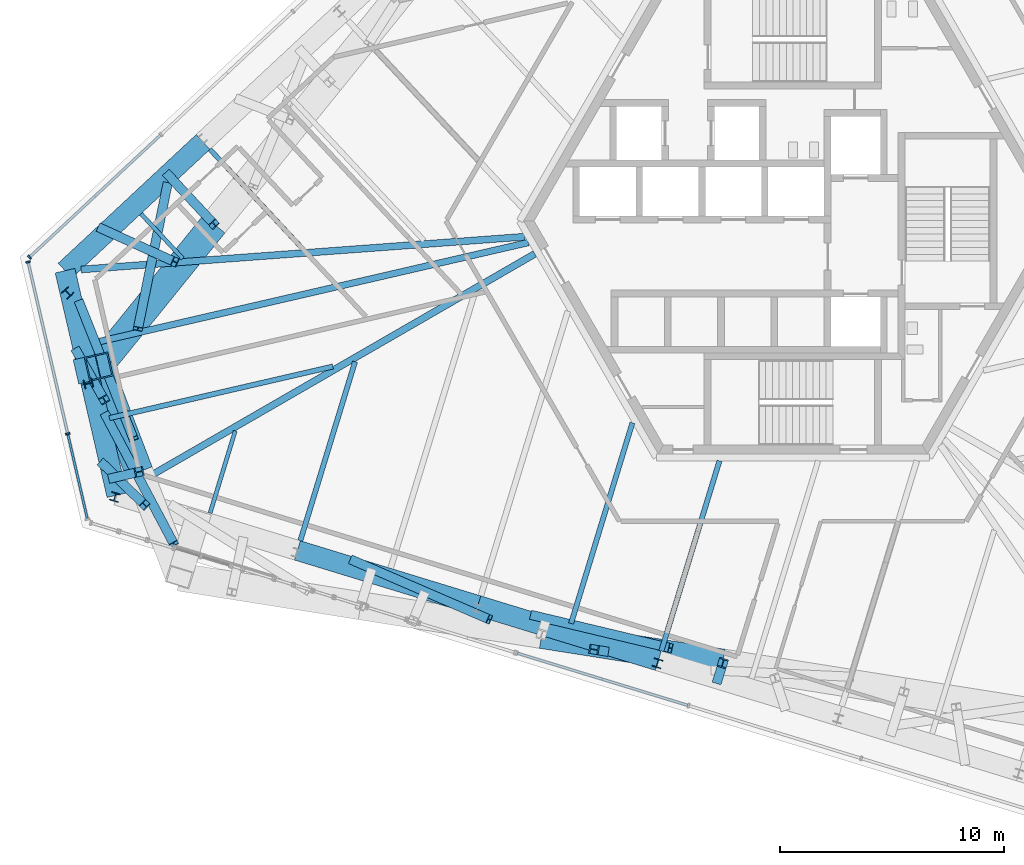
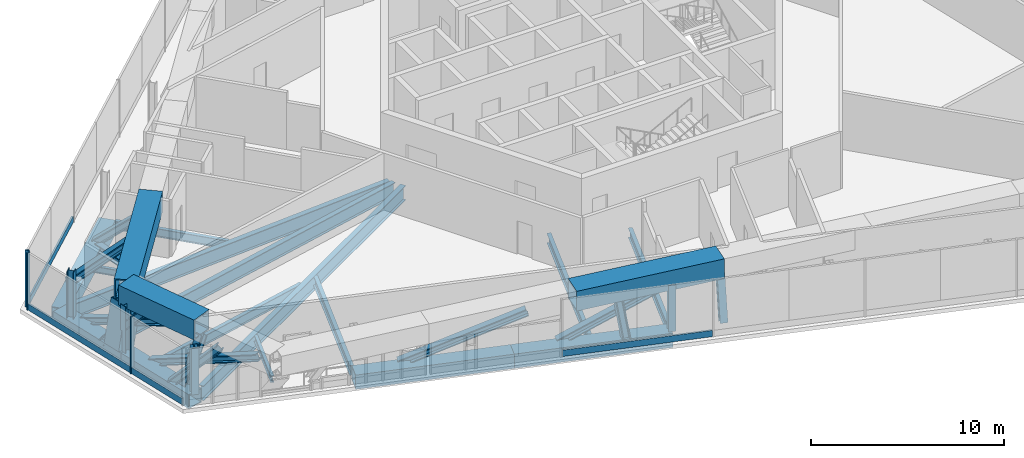
# One storey, part 2 of 31: 32 members, 10 beams, 3 elements without a shape of their own.
"""IFC4 building model written with IfcOpenShell, lengths in metres."""

from ifc_helpers import new_model, si_unit, direction, frame, origin, origin_2d, place, context, subcontext, project, spatial, rectangle, hollow_rectangle, i_section, extrude, source, transform, mapped, material, material_profile, profile_set, type_object, element, aggregate, save


model = new_model("IFC4")

# Units and contexts
model_context = context("Model", 3, precision=1e-05, world=origin(), true_north=direction((0.0, 1.0)))
body_context = subcontext(model_context, "Body", "Model", "MODEL_VIEW")
ifc_project = project(units=[si_unit("LENGTHUNIT", "METRE"), si_unit("AREAUNIT", "SQUARE_METRE"), si_unit("VOLUMEUNIT", "CUBIC_METRE"), si_unit("PLANEANGLEUNIT", "RADIAN"), si_unit("MASSUNIT", "GRAM", prefix="KILO")], contexts=[model_context])

# Site, building, storey
site_placement = place(None, origin())
site = spatial("IfcSite", under=ifc_project, at=site_placement, CompositionType="ELEMENT")
building_placement = place(site_placement, origin())
building = spatial("IfcBuilding", under=site, at=building_placement, Name="Triune Harvest Tower", CompositionType="ELEMENT")
storey_placement = place(building_placement, frame((0.0, 0.0, 134.300048828125)))
storey = spatial("IfcBuildingStorey", under=building, at=storey_placement, Name="L34", CompositionType="ELEMENT", Elevation=134.300048828125)

# Beams
ifc_material_1 = material(Name="Steel ASTM A992 Gr 50", Category="steel")
ifc_material_profile_1 = material_profile(ifc_material_1, i_section(OverallWidth=0.2099609375, OverallDepth=0.535888671875, WebThickness=0.010986328125, FlangeThickness=0.017333984375, at=origin_2d()), Name="W21x68")
ifc_profile_set_1 = profile_set([ifc_material_profile_1], Name="Steel ASTM A992 Gr 50")
beam_type_1 = type_object("IfcBeamType", Name="JT-2 Floor joist W21x68", PredefinedType="JOIST", material=ifc_profile_set_1)
beam_1_placement = place(storey_placement, frame((-25.985595703125, 3.1904296875, -0.51806640625), z_axis=(0.681992298293, -0.731359354263, 0.0), x_axis=(0.731359354263, 0.681992298293, 0.0)))
element("IfcBeam", 1, at=beam_1_placement, inside=storey, type_object=beam_type_1, Name="beam/L34/JT23", PredefinedType="JOIST", context=body_context, shape_type="SweptSolid", body=[
    extrude(i_section(OverallWidth=0.2099609375, OverallDepth=0.535888671875, WebThickness=0.010986328125, FlangeThickness=0.017333984375, at=origin_2d()), origin(), (0.0, 0.0, 1.0), 6.112548828125),
])
ifc_material_2 = material(Name="Steel ASTM A992 Gr 50", Category="steel")
ifc_material_profile_2 = material_profile(ifc_material_2, i_section(OverallWidth=0.22900390625, OverallDepth=0.612060546875, WebThickness=0.011962890625, FlangeThickness=0.01953125, at=origin_2d()), Name="W24x84")
ifc_profile_set_2 = profile_set([ifc_material_profile_2], Name="Steel ASTM A992 Gr 50")
beam_type_2 = type_object("IfcBeamType", Name="JT-3 Floor joist W24x84", PredefinedType="JOIST", material=ifc_profile_set_2)
beam_2_placement = place(storey_placement, frame((-30.467529296875, -8.791259765625, -0.55615234375), z_axis=(0.974368656402, 0.224957154634, 0.0), x_axis=(-0.224957154634, 0.974368656402, 0.0)))
element("IfcBeam", 2, at=beam_2_placement, inside=storey, type_object=beam_type_2, Name="beam/L34/JT26", PredefinedType="JOIST", context=body_context, shape_type="SweptSolid", body=[
    extrude(i_section(OverallWidth=0.22900390625, OverallDepth=0.612060546875, WebThickness=0.011962890625, FlangeThickness=0.01953125, at=origin_2d()), origin(), (0.0, 0.0, 1.0), 10.2255859375),
])

# Members
ifc_material_3 = material(Name="Steel ASTM A572 Gr 50", Category="steel")
ifc_material_profile_3 = material_profile(ifc_material_3, hollow_rectangle(XDim=0.89990234375, YDim=0.89990234375, WallThickness=0.050048828125, at=origin_2d()), Name="Box 900x900x50")
ifc_profile_set_3 = profile_set([ifc_material_profile_3], Name="Steel ASTM A572 Gr 50")
member_type_1 = type_object("IfcMemberType", Name="TC-2 Belt truss chord Box 900x900x50", PredefinedType="CHORD", material=ifc_profile_set_3)
member_1_placement = place(storey_placement, frame((-31.291015625, -7.22412109375, -0.699951171875), z_axis=(0.224960173276, -0.974367959469, 0.0), x_axis=(0.974367959469, 0.224960173276, 0.0)))
element("IfcMember", 3, at=member_1_placement, inside=storey, type_object=member_type_1, Name="truss/L34/TCB16", PredefinedType="CHORD", context=body_context, shape_type="SweptSolid", body=[
    extrude(hollow_rectangle(XDim=0.89990234375, YDim=0.89990234375, WallThickness=0.050048828125, at=origin_2d()), origin(), (0.0, 0.0, 1.0), 5.136474609375),
])
ifc_material_4 = material(Name="Steel ASTM A992 Gr 50", Category="steel")
ifc_material_profile_4 = material_profile(ifc_material_4, i_section(OverallWidth=0.411376953125, OverallDepth=0.434326171875, WebThickness=0.035888671875, FlangeThickness=0.057373046875, at=origin_2d()), Name="W14x311")
ifc_profile_set_4 = profile_set([ifc_material_profile_4], Name="Steel ASTM A992 Gr 50")
member_type_2 = type_object("IfcMemberType", Name="TD-2 Belt truss diagonal W14x311", PredefinedType="BRACE", material=ifc_profile_set_4)
member_2_placement = place(storey_placement, frame((-31.815185546875, -3.62060546875, -0.324951171875), z_axis=(0.341223863461, -0.858858571511, 0.382005535493), x_axis=(0.929339658394, 0.369225946184, 0.0)))
element("IfcMember", 4, at=member_2_placement, inside=storey, type_object=member_type_2, Name="truss/L34/TD29", PredefinedType="BRACE", context=body_context, shape_type="SweptSolid", body=[
    extrude(i_section(OverallWidth=0.411376953125, OverallDepth=0.434326171875, WebThickness=0.035888671875, FlangeThickness=0.057373046875, at=origin_2d()), origin(), (0.0, 0.0, 1.0), 7.093994140625),
])
ifc_material_5 = material(Name="Steel ASTM A992 Gr 50", Category="steel")
ifc_material_profile_5 = material_profile(ifc_material_5, i_section(OverallWidth=0.411376953125, OverallDepth=0.434326171875, WebThickness=0.035888671875, FlangeThickness=0.057373046875, at=origin_2d()), Name="W14x311")
ifc_profile_set_5 = profile_set([ifc_material_profile_5], Name="Steel ASTM A992 Gr 50")
member_type_3 = type_object("IfcMemberType", Name="TV-1 Belt truss strut W14x311", PredefinedType="STRUT", material=ifc_profile_set_5)
member_3_placement = place(storey_placement, frame((-3.33837890625, -20.421875, -0.275146484375), z_axis=(0.078089510049, 0.255670185223, 0.963605097957), x_axis=(-0.956384949768, 0.292109273831, 0.0)))
element("IfcMember", 5, at=member_3_placement, inside=storey, type_object=member_type_3, Name="truss/L34/TS20", PredefinedType="STRUT", context=body_context, shape_type="SweptSolid", body=[
    extrude(i_section(OverallWidth=0.411376953125, OverallDepth=0.434326171875, WebThickness=0.035888671875, FlangeThickness=0.057373046875, at=origin_2d()), origin(), (0.0, 0.0, 1.0), 2.7607421875),
])

# Beams
ifc_material_6 = material(Name="Steel ASTM A992 Gr 50", Category="steel")
ifc_material_profile_6 = material_profile(ifc_material_6, i_section(OverallWidth=0.307373046875, OverallDepth=0.922119140625, WebThickness=0.018310546875, FlangeThickness=0.030029296875, at=origin_2d()), Name="W36x182")
ifc_profile_set_6 = profile_set([ifc_material_profile_6], Name="Steel ASTM A992 Gr 50")
beam_type_3 = type_object("IfcBeamType", Name="HG-2 Hip girder W36x182", PredefinedType="BEAM", material=ifc_profile_set_6)
shared_shape_1 = source(origin(), body_context, "Body", "SweptSolid", [
    extrude(i_section(OverallWidth=0.307373046875, OverallDepth=0.922119140625, WebThickness=0.018310546875, FlangeThickness=0.030029296875, at=origin_2d()), origin(), (0.0, 0.0, 1.0), 19.839111328125),
])
beam_3_placement = place(storey_placement, frame((-31.72998046875, -2.166259765625, -0.7109375), z_axis=(0.997284919031, 0.07363959718, 0.0), x_axis=(-0.07363959718, 0.997284919031, 0.0)))
element("IfcBeam", 6, at=beam_3_placement, inside=storey, type_object=beam_type_3, Name="beam/L34/HG5", PredefinedType="BEAM", context=body_context, shape_type="MappedRepresentation", body=[
    mapped(shared_shape_1, transform((0.0, 0.0, 0.0), scale=1.0)),
])
shared_shape_2 = source(origin(), body_context, "Body", "SweptSolid", [
    extrude(i_section(OverallWidth=0.307373046875, OverallDepth=0.922119140625, WebThickness=0.018310546875, FlangeThickness=0.030029296875, at=origin_2d()), origin(), (0.0, 0.0, 1.0), 20.900390625),
])
beam_4_placement = place(storey_placement, frame((-29.602783203125, -11.92138671875, -0.7109375), z_axis=(0.866026271786, 0.499998496574, 0.0), x_axis=(-0.499998496574, 0.866026271786, 0.0)))
element("IfcBeam", 7, at=beam_4_placement, inside=storey, type_object=beam_type_3, Name="beam/L34/HG6", PredefinedType="BEAM", context=body_context, shape_type="MappedRepresentation", body=[
    mapped(shared_shape_2, transform((0.0, 0.0, 0.0), scale=1.0)),
])
ifc_material_7 = material(Name="Steel ASTM A992 Gr 50", Category="steel")
ifc_material_profile_7 = material_profile(ifc_material_7, i_section(OverallWidth=0.180908203125, OverallDepth=0.41650390625, WebThickness=0.010986328125, FlangeThickness=0.01806640625, at=origin_2d()), Name="W16x57")
ifc_profile_set_7 = profile_set([ifc_material_profile_7], Name="Steel ASTM A992 Gr 50")
beam_type_4 = type_object("IfcBeamType", Name="JT-1 Floor joist W16x57", PredefinedType="JOIST", material=ifc_profile_set_7)
shared_shape_3 = source(origin(), body_context, "Body", "SweptSolid", [
    extrude(i_section(OverallWidth=0.180908203125, OverallDepth=0.41650390625, WebThickness=0.010986328125, FlangeThickness=0.01806640625, at=origin_2d()), origin(), (0.0, 0.0, 1.0), 3.83642578125),
])
beam_5_placement = place(storey_placement, frame((-25.980712890625, -13.02880859375, -0.458251953125), z_axis=(0.29241739295, 0.956290786477, 0.0), x_axis=(-0.956290786477, 0.29241739295, 0.0)))
element("IfcBeam", 8, at=beam_5_placement, inside=storey, type_object=beam_type_4, Name="beam/L34/JT27", PredefinedType="JOIST", context=body_context, shape_type="MappedRepresentation", body=[
    mapped(shared_shape_3, transform((0.0, 0.0, 0.0), scale=1.0)),
])
shared_shape_4 = source(origin(), body_context, "Body", "SweptSolid", [
    extrude(i_section(OverallWidth=0.22900390625, OverallDepth=0.612060546875, WebThickness=0.011962890625, FlangeThickness=0.01953125, at=origin_2d()), origin(), (0.0, 0.0, 1.0), 9.3525390625),
])
beam_6_placement = place(storey_placement, frame((-9.88720703125, -17.94921875, -0.55615234375), z_axis=(0.292392288075, 0.956298462758, 0.0), x_axis=(-0.956298462758, 0.292392288075, 0.0)))
element("IfcBeam", 9, at=beam_6_placement, inside=storey, type_object=beam_type_2, Name="beam/L34/JT31", PredefinedType="JOIST", context=body_context, shape_type="MappedRepresentation", body=[
    mapped(shared_shape_4, transform((0.0, 0.0, 0.0), scale=1.0)),
])
shared_shape_5 = source(origin(), body_context, "Body", "SweptSolid", [
    extrude(i_section(OverallWidth=0.22900390625, OverallDepth=0.612060546875, WebThickness=0.011962890625, FlangeThickness=0.01953125, at=origin_2d()), origin(), (0.0, 0.0, 1.0), 8.86962890625),
])
beam_7_placement = place(storey_placement, frame((-5.86376953125, -19.17919921875, -0.55615234375), z_axis=(0.292371677891, 0.956304764166, 0.0), x_axis=(-0.956304764166, 0.292371677891, 0.0)))
element("IfcBeam", 10, at=beam_7_placement, inside=storey, type_object=beam_type_2, Name="beam/L34/JT32", PredefinedType="JOIST", context=body_context, shape_type="MappedRepresentation", body=[
    mapped(shared_shape_5, transform((0.0, 0.0, 0.0), scale=1.0)),
])
ifc_material_8 = material(Name="Steel ASTM A992 Gr 50", Category="steel")
ifc_material_profile_8 = material_profile(ifc_material_8, i_section(OverallWidth=0.2919921875, OverallDepth=0.8583984375, WebThickness=0.01708984375, FlangeThickness=0.031005859375, at=origin_2d()), Name="W33x169")
ifc_profile_set_8 = profile_set([ifc_material_profile_8], Name="Steel ASTM A992 Gr 50")
beam_type_5 = type_object("IfcBeamType", Name="JT-7 Floor joist W33x169", PredefinedType="JOIST", material=ifc_profile_set_8)
shared_shape_6 = source(origin(), body_context, "Body", "SweptSolid", [
    extrude(i_section(OverallWidth=0.2919921875, OverallDepth=0.8583984375, WebThickness=0.01708984375, FlangeThickness=0.031005859375, at=origin_2d()), origin(), (0.0, 0.0, 1.0), 19.954833984375),
])
beam_8_placement = place(storey_placement, frame((-31.23779296875, -5.45458984375, -0.679443359375), z_axis=(0.974370983895, 0.224947073203, 0.0), x_axis=(-0.224947073203, 0.974370983895, 0.0)))
element("IfcBeam", 11, at=beam_8_placement, inside=storey, type_object=beam_type_5, Name="beam/L34/JT25", PredefinedType="JOIST", context=body_context, shape_type="MappedRepresentation", body=[
    mapped(shared_shape_6, transform((0.0, 0.0, 0.0), scale=1.0)),
])
shared_shape_7 = source(origin(), body_context, "Body", "SweptSolid", [
    extrude(i_section(OverallWidth=0.22900390625, OverallDepth=0.612060546875, WebThickness=0.011962890625, FlangeThickness=0.01953125, at=origin_2d()), origin(), (0.0, 0.0, 1.0), 8.34814453125),
])
beam_9_placement = place(storey_placement, frame((-21.957275390625, -14.259033203125, -0.55615234375), z_axis=(0.292361186331, 0.956307971695, 0.0), x_axis=(-0.956307971695, 0.292361186331, 0.0)))
element("IfcBeam", 12, at=beam_9_placement, inside=storey, type_object=beam_type_2, Name="beam/L34/JT28", PredefinedType="JOIST", context=body_context, shape_type="MappedRepresentation", body=[
    mapped(shared_shape_7, transform((0.0, 0.0, 0.0), scale=1.0)),
])
shared_shape_8 = source(origin(), body_context, "Body", "SweptSolid", [
    extrude(i_section(OverallWidth=0.180908203125, OverallDepth=0.41650390625, WebThickness=0.010986328125, FlangeThickness=0.01806640625, at=origin_2d()), origin(), (0.0, 0.0, 1.0), 2.732666015625),
])
beam_10_placement = place(storey_placement, frame((-29.062744140625, 0.321044921875, -0.458251953125), z_axis=(0.682018979615, -0.731334473032, 0.0), x_axis=(0.731334473032, 0.682018979615, 0.0)))
element("IfcBeam", 13, at=beam_10_placement, inside=storey, type_object=beam_type_4, Name="beam/L34/JT24", PredefinedType="JOIST", context=body_context, shape_type="MappedRepresentation", body=[
    mapped(shared_shape_8, transform((0.0, 0.0, 0.0), scale=1.0)),
])

# Members
ifc_material_9 = material(Name="Steel ASTM A992 Gr 50", Category="steel")
ifc_material_profile_9 = material_profile(ifc_material_9, i_section(OverallWidth=0.396240234375, OverallDepth=0.381103515625, WebThickness=0.01904296875, FlangeThickness=0.0302734375, at=origin_2d()), Name="W14x159")
ifc_profile_set_9 = profile_set([ifc_material_profile_9], Name="Steel ASTM A992 Gr 50")
member_type_4 = type_object("IfcMemberType", Name="WP-3 Roof edge post W14x159", PredefinedType="POST", material=ifc_profile_set_9)
shared_shape_9 = source(origin(), body_context, "Body", "SweptSolid", [
    extrude(i_section(OverallWidth=0.396240234375, OverallDepth=0.381103515625, WebThickness=0.01904296875, FlangeThickness=0.0302734375, at=origin_2d()), origin(), (0.0, 0.0, 1.0), 2.935546875),
])
for number, where, z_axis, x_axis, name in (
    (14, (-32.328369140625, -3.207763671875, -0.25), (0.0, 0.0, 1.0), (-0.73135489193, -0.681997083608, 0.0), "post/L34/W14"),
    (15, (-31.407958984375, -7.251220703125, -0.25), (0.0, 0.0, 1.0), (0.224951054344, -0.974370064785, 0.0), "post/L34/W15"),
    (16, (-30.223388671875, -12.310791015625, -0.25), (0.0, 0.0, 1.0), (0.956304755963, -0.292371704723, 0.0), "post/L34/W16"),
    (17, (-6.030517578125, -19.724365234375, -0.25), (0.0, 0.0, 1.0), (0.956304755963, -0.292371704723, 0.0), "post/L34/W19"),
):
    element("IfcMember", number, at=place(storey_placement, frame(where, z_axis=z_axis, x_axis=x_axis)), inside=storey, type_object=member_type_4, Name=name, PredefinedType="POST", context=body_context, shape_type="MappedRepresentation", body=[
        mapped(shared_shape_9, transform((0.0, 0.0, 0.0), scale=1.0)),
    ])
shared_shape_10 = source(origin(), body_context, "Body", "SweptSolid", [
    extrude(hollow_rectangle(XDim=0.89990234375, YDim=0.89990234375, WallThickness=0.050048828125, at=origin_2d()), origin(), (0.0, 0.0, 1.0), 8.414306640625),
])
member_4_placement = place(storey_placement, frame((-14.0419921875, -17.1494140625, -0.699951171875), z_axis=(0.956301328629, -0.292382914791, 0.0), x_axis=(0.292382914791, 0.956301328629, 0.0)))
element("IfcMember", 18, at=member_4_placement, inside=storey, type_object=member_type_1, Name="truss/L34/TCB19", PredefinedType="CHORD", context=body_context, shape_type="MappedRepresentation", body=[
    mapped(shared_shape_10, transform((0.0, 0.0, 0.0), scale=1.0)),
])
shared_shape_11 = source(origin(), body_context, "Body", "SweptSolid", [
    extrude(hollow_rectangle(XDim=0.89990234375, YDim=0.89990234375, WallThickness=0.050048828125, at=origin_2d()), origin(), (0.0, 0.0, 1.0), 5.13671875),
])
member_5_placement = place(storey_placement, frame((-32.446533203125, -2.218994140625, -0.699951171875), z_axis=(0.224949755424, -0.974370364664, 0.0), x_axis=(0.974370364664, 0.224949755424, 0.0)))
element("IfcMember", 19, at=member_5_placement, inside=storey, type_object=member_type_1, Name="truss/L34/TCB15", PredefinedType="CHORD", context=body_context, shape_type="MappedRepresentation", body=[
    mapped(shared_shape_11, transform((0.0, 0.0, 0.0), scale=1.0)),
])
shared_shape_12 = source(origin(), body_context, "Body", "SweptSolid", [
    extrude(hollow_rectangle(XDim=0.89990234375, YDim=0.89990234375, WallThickness=0.050048828125, at=origin_2d()), origin(), (0.0, 0.0, 1.0), 8.41455078125),
])
for number, where, z_axis, x_axis, name in (
    (20, (-26.29248046875, 3.51953125, -0.699951171875), (-0.731366838711, -0.681984271984, 0.0), (0.681984271984, -0.731366838711, 0.0), "truss/L34/TCB14"),
    (21, (-22.0888671875, -14.689208984375, -0.699951171875), (0.956303808943, -0.292374802267, 0.0), (0.292374802267, 0.956303808943, 0.0), "truss/L34/TCB18"),
):
    element("IfcMember", number, at=place(storey_placement, frame(where, z_axis=z_axis, x_axis=x_axis)), inside=storey, type_object=member_type_1, Name=name, PredefinedType="CHORD", context=body_context, shape_type="MappedRepresentation", body=[
        mapped(shared_shape_12, transform((0.0, 0.0, 0.0), scale=1.0)),
    ])
ifc_material_10 = material(Name="Steel ASTM A572 Gr 50", Category="steel")
ifc_material_profile_10 = material_profile(ifc_material_10, hollow_rectangle(XDim=1.25, YDim=1.25, WallThickness=0.070068359375, at=origin_2d()), Name="Box 1250x1250x70")
ifc_profile_set_10 = profile_set([ifc_material_profile_10], Name="Steel ASTM A572 Gr 50")
member_type_5 = type_object("IfcMemberType", Name="TC-1 Belt truss chord Box 1250x1250x70", PredefinedType="CHORD", material=ifc_profile_set_10)
shared_shape_13 = source(origin(), body_context, "Body", "SweptSolid", [
    extrude(hollow_rectangle(XDim=1.25, YDim=1.25, WallThickness=0.070068359375, at=origin_2d()), origin(), (0.0, 0.0, 1.0), 8.175048828125),
])
member_6_placement = place(storey_placement, frame((-25.802734375, -0.143798828125, 2.974853515625), z_axis=(-0.629320212564, -0.777146105992, 0.0), x_axis=(0.777146105992, -0.629320212564, 0.0)))
element("IfcMember", 22, at=member_6_placement, inside=storey, type_object=member_type_5, Name="truss/L34/TCT14", PredefinedType="CHORD", context=body_context, shape_type="MappedRepresentation", body=[
    mapped(shared_shape_13, transform((0.0, 0.0, 0.0), scale=1.0)),
])
shared_shape_14 = source(origin(), body_context, "Body", "SweptSolid", [
    extrude(hollow_rectangle(XDim=1.25, YDim=1.25, WallThickness=0.070068359375, at=origin_2d()), origin(), (0.0, 0.0, 1.0), 8.1748046875),
])
member_7_placement = place(storey_placement, frame((-11.197021484375, -18.437255859375, 2.974853515625), z_axis=(0.987688756855, -0.156431836853, 0.0), x_axis=(0.156431836853, 0.987688756855, 0.0)))
element("IfcMember", 23, at=member_7_placement, inside=storey, type_object=member_type_5, Name="truss/L34/TCT19", PredefinedType="CHORD", context=body_context, shape_type="MappedRepresentation", body=[
    mapped(shared_shape_14, transform((0.0, 0.0, 0.0), scale=1.0)),
])
shared_shape_15 = source(origin(), body_context, "Body", "SweptSolid", [
    extrude(hollow_rectangle(XDim=1.25, YDim=1.25, WallThickness=0.070068359375, at=origin_2d()), origin(), (0.0, 0.0, 1.0), 5.02490234375),
])
member_8_placement = place(storey_placement, frame((-30.947509765625, -6.4970703125, 2.974853515625), z_axis=(0.358412520563, -0.933563316066, 0.0), x_axis=(0.933563316066, 0.358412520563, 0.0)))
element("IfcMember", 24, at=member_8_placement, inside=storey, type_object=member_type_5, Name="truss/L34/TCT15", PredefinedType="CHORD", context=body_context, shape_type="MappedRepresentation", body=[
    mapped(shared_shape_15, transform((0.0, 0.0, 0.0), scale=1.0)),
])
ifc_material_11 = material(Name="Steel ASTM A572 Gr 50", Category="steel")
ifc_material_profile_11 = material_profile(ifc_material_11, hollow_rectangle(XDim=1.10009765625, YDim=1.10009765625, WallThickness=0.06005859375, at=origin_2d()), Name="Box 1100x1100x60")
ifc_profile_set_11 = profile_set([ifc_material_profile_11], Name="Steel ASTM A572 Gr 50")
member_type_6 = type_object("IfcMemberType", Name="TS-1 Belt truss raked strut Box 1100x1100x60", PredefinedType="STRUT", material=ifc_profile_set_11)
shared_shape_16 = source(origin(), body_context, "Body", "SweptSolid", [
    extrude(hollow_rectangle(XDim=1.10009765625, YDim=1.10009765625, WallThickness=0.06005859375, at=origin_2d()), origin(), (0.0, 0.0, 1.0), 2.70654296875),
])
member_9_placement = place(storey_placement, frame((-31.43310546875, -6.609130859375, -0.275146484375), z_axis=(0.179422616647, 0.041405219226, 0.982900367513), x_axis=(-0.224859506699, 0.974391195695, 0.0)))
element("IfcMember", 25, at=member_9_placement, inside=storey, type_object=member_type_6, Name="truss/L34/TS15", PredefinedType="STRUT", context=body_context, shape_type="MappedRepresentation", body=[
    mapped(shared_shape_16, transform((0.0, 0.0, 0.0), scale=1.0)),
])
shared_shape_17 = source(origin(), body_context, "Body", "SweptSolid", [
    extrude(i_section(OverallWidth=0.411376953125, OverallDepth=0.434326171875, WebThickness=0.035888671875, FlangeThickness=0.057373046875, at=origin_2d()), origin(), (0.0, 0.0, 1.0), 4.01953125),
])
member_10_placement = place(storey_placement, frame((-27.85791015625, 2.06005859375, -0.275146484375), z_axis=(0.511288913573, -0.54827809727, 0.661796626549), x_axis=(0.731346172461, 0.682006434007, 0.0)))
element("IfcMember", 26, at=member_10_placement, inside=storey, type_object=member_type_3, Name="truss/L34/TS14", PredefinedType="STRUT", context=body_context, shape_type="MappedRepresentation", body=[
    mapped(shared_shape_17, transform((0.0, 0.0, 0.0), scale=1.0)),
])
shared_shape_18 = source(origin(), body_context, "Body", "SweptSolid", [
    extrude(i_section(OverallWidth=0.411376953125, OverallDepth=0.434326171875, WebThickness=0.035888671875, FlangeThickness=0.057373046875, at=origin_2d()), origin(), (0.0, 0.0, 1.0), 2.91748046875),
])
member_11_placement = place(storey_placement, frame((-30.313720703125, -11.457763671875, -0.275146484375), z_axis=(0.40008775428, 0.092385877583, 0.911808443972), x_axis=(-0.224993461966, 0.974360273242, 0.0)))
element("IfcMember", 27, at=member_11_placement, inside=storey, type_object=member_type_3, Name="truss/L34/TS16", PredefinedType="STRUT", context=body_context, shape_type="MappedRepresentation", body=[
    mapped(shared_shape_18, transform((0.0, 0.0, 0.0), scale=1.0)),
])
shared_shape_19 = source(origin(), body_context, "Body", "SweptSolid", [
    extrude(i_section(OverallWidth=0.411376953125, OverallDepth=0.434326171875, WebThickness=0.035888671875, FlangeThickness=0.057373046875, at=origin_2d()), origin(), (0.0, 0.0, 1.0), 7.201171875),
])
member_12_placement = place(storey_placement, frame((-19.65576171875, -15.119384765625, -0.324951171875), z_axis=(0.850422655926, -0.367644047236, 0.376323213235), x_axis=(0.396814497926, 0.917898825708, 0.0)))
element("IfcMember", 28, at=member_12_placement, inside=storey, type_object=member_type_2, Name="truss/L34/TD35", PredefinedType="BRACE", context=body_context, shape_type="MappedRepresentation", body=[
    mapped(shared_shape_19, transform((0.0, 0.0, 0.0), scale=1.0)),
])
shared_shape_20 = source(origin(), body_context, "Body", "SweptSolid", [
    extrude(i_section(OverallWidth=0.411376953125, OverallDepth=0.434326171875, WebThickness=0.035888671875, FlangeThickness=0.057373046875, at=origin_2d()), origin(), (0.0, 0.0, 1.0), 6.880126953125),
])
member_13_placement = place(storey_placement, frame((-11.60888671875, -17.57958984375, -0.324951171875), z_axis=(0.894118643092, -0.213088163344, 0.393884864798), x_axis=(0.231829292853, 0.972756484931, 0.0)))
element("IfcMember", 29, at=member_13_placement, inside=storey, type_object=member_type_2, Name="truss/L34/TD37", PredefinedType="BRACE", context=body_context, shape_type="MappedRepresentation", body=[
    mapped(shared_shape_20, transform((0.0, 0.0, 0.0), scale=1.0)),
])
shared_shape_21 = source(origin(), body_context, "Body", "SweptSolid", [
    extrude(i_section(OverallWidth=0.411376953125, OverallDepth=0.434326171875, WebThickness=0.035888671875, FlangeThickness=0.057373046875, at=origin_2d()), origin(), (0.0, 0.0, 1.0), 2.745361328125),
])
member_14_placement = place(storey_placement, frame((-8.428466796875, -19.179443359375, -0.324951171875), z_axis=(-0.158110273873, 0.026055292601, 0.987077637789), x_axis=(-0.162598891937, -0.986692252093, 0.0)))
element("IfcMember", 30, at=member_14_placement, inside=storey, type_object=member_type_2, Name="truss/L34/TD38", PredefinedType="BRACE", context=body_context, shape_type="MappedRepresentation", body=[
    mapped(shared_shape_21, transform((0.0, 0.0, 0.0), scale=1.0)),
])
shared_shape_22 = source(origin(), body_context, "Body", "SweptSolid", [
    extrude(i_section(OverallWidth=0.411376953125, OverallDepth=0.434326171875, WebThickness=0.035888671875, FlangeThickness=0.057373046875, at=origin_2d()), origin(), (0.0, 0.0, 1.0), 7.1083984375),
])
member_15_placement = place(storey_placement, frame((-27.881591796875, 1.62744140625, -0.324951171875), z_axis=(-0.185398111853, -0.905696222596, 0.381237317816), x_axis=(0.97968475056, -0.20054373468, 0.0)))
element("IfcMember", 31, at=member_15_placement, inside=storey, type_object=member_type_2, Name="truss/L34/TD27", PredefinedType="BRACE", context=body_context, shape_type="MappedRepresentation", body=[
    mapped(shared_shape_22, transform((0.0, 0.0, 0.0), scale=1.0)),
])
shared_shape_23 = source(origin(), body_context, "Body", "SweptSolid", [
    extrude(i_section(OverallWidth=0.411376953125, OverallDepth=0.434326171875, WebThickness=0.035888671875, FlangeThickness=0.057373046875, at=origin_2d()), origin(), (0.0, 0.0, 1.0), 4.531982421875),
])
member_16_placement = place(storey_placement, frame((-30.857421875, -0.3271484375, -0.324951171875), z_axis=(0.729638339777, -0.331741944503, 0.597975898665), x_axis=(0.41389409332, 0.910325040585, 0.0)))
element("IfcMember", 32, at=member_16_placement, inside=storey, type_object=member_type_2, Name="truss/L34/TD28", PredefinedType="BRACE", context=body_context, shape_type="MappedRepresentation", body=[
    mapped(shared_shape_23, transform((0.0, 0.0, 0.0), scale=1.0)),
])
shared_shape_24 = source(origin(), body_context, "Body", "SweptSolid", [
    extrude(i_section(OverallWidth=0.411376953125, OverallDepth=0.434326171875, WebThickness=0.035888671875, FlangeThickness=0.057373046875, at=origin_2d()), origin(), (0.0, 0.0, 1.0), 3.668701171875),
])
member_17_placement = place(storey_placement, frame((-31.922607421875, -5.82275390625, -0.324951171875), z_axis=(0.333405653313, -0.585822348526, 0.738683183987), x_axis=(0.869104562243, 0.494628405866, 0.0)))
element("IfcMember", 33, at=member_17_placement, inside=storey, type_object=member_type_2, Name="truss/L34/TD30", PredefinedType="BRACE", context=body_context, shape_type="MappedRepresentation", body=[
    mapped(shared_shape_24, transform((0.0, 0.0, 0.0), scale=1.0)),
])
shared_shape_25 = source(origin(), body_context, "Body", "SweptSolid", [
    extrude(i_section(OverallWidth=0.411376953125, OverallDepth=0.434326171875, WebThickness=0.035888671875, FlangeThickness=0.057373046875, at=origin_2d()), origin(), (0.0, 0.0, 1.0), 7.081298828125),
])
member_18_placement = place(storey_placement, frame((-30.65966796875, -8.62548828125, -0.324951171875), z_axis=(0.432963199511, -0.816141492183, 0.382695613519), x_axis=(0.883390010037, 0.468638549596, 0.0)))
element("IfcMember", 34, at=member_18_placement, inside=storey, type_object=member_type_2, Name="truss/L34/TD31", PredefinedType="BRACE", context=body_context, shape_type="MappedRepresentation", body=[
    mapped(shared_shape_25, transform((0.0, 0.0, 0.0), scale=1.0)),
])
shared_shape_26 = source(origin(), body_context, "Body", "SweptSolid", [
    extrude(i_section(OverallWidth=0.411376953125, OverallDepth=0.434326171875, WebThickness=0.035888671875, FlangeThickness=0.057373046875, at=origin_2d()), origin(), (0.0, 0.0, 1.0), 3.768798828125),
])
member_19_placement = place(storey_placement, frame((-30.76708984375, -10.82763671875, -0.324951171875), z_axis=(0.495759273476, -0.48701400993, 0.71905500269), x_axis=(0.700786806464, 0.713370767474, 0.0)))
element("IfcMember", 35, at=member_19_placement, inside=storey, type_object=member_type_2, Name="truss/L34/TD32", PredefinedType="BRACE", context=body_context, shape_type="MappedRepresentation", body=[
    mapped(shared_shape_26, transform((0.0, 0.0, 0.0), scale=1.0)),
])

# Curtain wall, member
ifc_material_12 = material(Name="Aluminium bronze anodised", Category="aluminium")
curtain_wall_type = type_object("IfcCurtainWallType", Name="CW-5 Plant louvre wall", PredefinedType="NOTDEFINED", material=ifc_material_12)
curtain_wall_1_placement = place(storey_placement, origin())
curtain_wall_1 = element("IfcCurtainWall", 36, at=curtain_wall_1_placement, inside=storey, type_object=curtain_wall_type, Name="CW-5 B3-F3 L34 run 1601")
ifc_material_13 = material(Name="Aluminium bronze anodised", Category="aluminium")
ifc_material_profile_12 = material_profile(ifc_material_13, rectangle(XDim=0.199951171875, YDim=0.080078125, at=origin_2d()), Name="MU-5 mullion 80 x 200")
ifc_profile_set_12 = profile_set([ifc_material_profile_12], Name="Aluminium bronze anodised")
member_type_7 = type_object("IfcMemberType", Name="MU-5 mullion 80 x 200", PredefinedType="MULLION", material=ifc_profile_set_12)
shared_shape_27 = source(origin(), body_context, "Body", "SweptSolid", [
    extrude(rectangle(XDim=0.199951171875, YDim=0.080078125, at=origin_2d()), origin(), (0.0, 0.0, 1.0), 3.599853515625),
])
member_20_placement = place(storey_placement, frame((-34.028564453125, -1.61767578125, 0.0), z_axis=(0.0, 0.0, 1.0), x_axis=(0.681998071239, -0.731353970951, 0.0)))
member_20 = element("IfcMember", 37, at=member_20_placement, type_object=member_type_7, Name="CW-5 mullion B3-F3 1601.9", PredefinedType="MULLION", context=body_context, shape_type="MappedRepresentation", body=[
    mapped(shared_shape_27, transform((0.0, 0.0, 0.0), scale=1.0)),
])

# Curtain wall, members
curtain_wall_2_placement = place(storey_placement, origin())
curtain_wall_2 = element("IfcCurtainWall", 38, at=curtain_wall_2_placement, inside=storey, type_object=curtain_wall_type, Name="CW-5 B3-F4 L34 run 1")
member_21_placement = place(storey_placement, frame((-34.09423828125, -1.8330078125, 0.0), z_axis=(0.0, 0.0, 1.0), x_axis=(0.974371012181, 0.224946950683, 0.0)))
member_21 = element("IfcMember", 39, at=member_21_placement, type_object=member_type_7, Name="CW-5 mullion B3-F4 1.1", PredefinedType="MULLION", context=body_context, shape_type="MappedRepresentation", body=[
    mapped(shared_shape_27, transform((0.0, 0.0, 0.0), scale=1.0)),
])
member_22_placement = place(storey_placement, frame((-32.32666015625, -9.489501953125, 0.0), z_axis=(0.0, 0.0, 1.0), x_axis=(0.974371012181, 0.224946950683, 0.0)))
member_22 = element("IfcMember", 40, at=member_22_placement, type_object=member_type_7, Name="CW-5 mullion B3-F4 1.3", PredefinedType="MULLION", context=body_context, shape_type="MappedRepresentation", body=[
    mapped(shared_shape_27, transform((0.0, 0.0, 0.0), scale=1.0)),
])

# Member
ifc_material_14 = material(Name="Aluminium bronze anodised", Category="aluminium")
ifc_material_profile_13 = material_profile(ifc_material_14, rectangle(XDim=0.10009765625, YDim=0.39990234375, at=origin_2d()), Name="TR-5 transom 100 x 400")
ifc_profile_set_13 = profile_set([ifc_material_profile_13], Name="Aluminium bronze anodised")
member_type_8 = type_object("IfcMemberType", Name="TR-5 transom 100 x 400", PredefinedType="USERDEFINED", material=ifc_profile_set_13)
shared_shape_28 = source(origin(), body_context, "Body", "SweptSolid", [
    extrude(rectangle(XDim=0.10009765625, YDim=0.39990234375, at=origin_2d()), origin(), (0.0, 0.0, 1.0), 7.9326171875),
])
member_23_placement = place(storey_placement, frame((-28.197509765625, 3.819580078125, 0.199951171875), z_axis=(-0.731373480899, -0.681977148765, 0.0), x_axis=(0.681977148765, -0.731373480899, 0.0)))
member_23 = element("IfcMember", 41, at=member_23_placement, type_object=member_type_8, Name="CW-5 transom B3-F3 1601.4", ObjectType="TRANSOM", PredefinedType="USERDEFINED", context=body_context, shape_type="MappedRepresentation", body=[
    mapped(shared_shape_28, transform((0.0, 0.0, 0.0), scale=1.0)),
])

aggregate(curtain_wall_1, [member_20, member_23])

# Curtain wall, member
curtain_wall_3_placement = place(storey_placement, origin())
curtain_wall_3 = element("IfcCurtainWall", 42, at=curtain_wall_3_placement, inside=storey, type_object=curtain_wall_type, Name="CW-5 B3-F5 L34 run 1401")
member_24_placement = place(storey_placement, frame((-12.27294921875, -19.2783203125, 0.199951171875), z_axis=(0.956301862306, -0.292381169281, 0.0), x_axis=(0.292381169281, 0.956301862306, 0.0)))
member_24 = element("IfcMember", 43, at=member_24_placement, type_object=member_type_8, Name="CW-5 transom B3-F5 1401.1", ObjectType="TRANSOM", PredefinedType="USERDEFINED", context=body_context, shape_type="MappedRepresentation", body=[
    mapped(shared_shape_28, transform((0.0, 0.0, 0.0), scale=1.0)),
])
aggregate(curtain_wall_3, [member_24])

# Member
shared_shape_29 = source(origin(), body_context, "Body", "SweptSolid", [
    extrude(rectangle(XDim=0.10009765625, YDim=0.39990234375, at=origin_2d()), origin(), (0.0, 0.0, 1.0), 7.77783203125),
])
member_25_placement = place(storey_placement, frame((-34.085205078125, -1.8720703125, 0.199951171875), z_axis=(0.224932864392, -0.974374264088, 0.0), x_axis=(0.974374264088, 0.224932864392, 0.0)))
member_25 = element("IfcMember", 44, at=member_25_placement, type_object=member_type_8, Name="CW-5 transom B3-F4 1.1", ObjectType="TRANSOM", PredefinedType="USERDEFINED", context=body_context, shape_type="MappedRepresentation", body=[
    mapped(shared_shape_29, transform((0.0, 0.0, 0.0), scale=1.0)),
])

shared_shape_30 = source(origin(), body_context, "Body", "SweptSolid", [
    extrude(rectangle(XDim=0.10009765625, YDim=0.39990234375, at=origin_2d()), origin(), (0.0, 0.0, 1.0), 3.828857421875),
])
member_26_placement = place(storey_placement, frame((-32.317626953125, -9.528564453125, 0.199951171875), z_axis=(0.224957300005, -0.97436862284, 0.0), x_axis=(0.97436862284, 0.224957300005, 0.0)))
member_26 = element("IfcMember", 45, at=member_26_placement, type_object=member_type_8, Name="CW-5 transom B3-F4 1.2", ObjectType="TRANSOM", PredefinedType="USERDEFINED", context=body_context, shape_type="MappedRepresentation", body=[
    mapped(shared_shape_30, transform((0.0, 0.0, 0.0), scale=1.0)),
])

aggregate(curtain_wall_2, [member_21, member_22, member_25, member_26])

save(model, "model.ifc")
